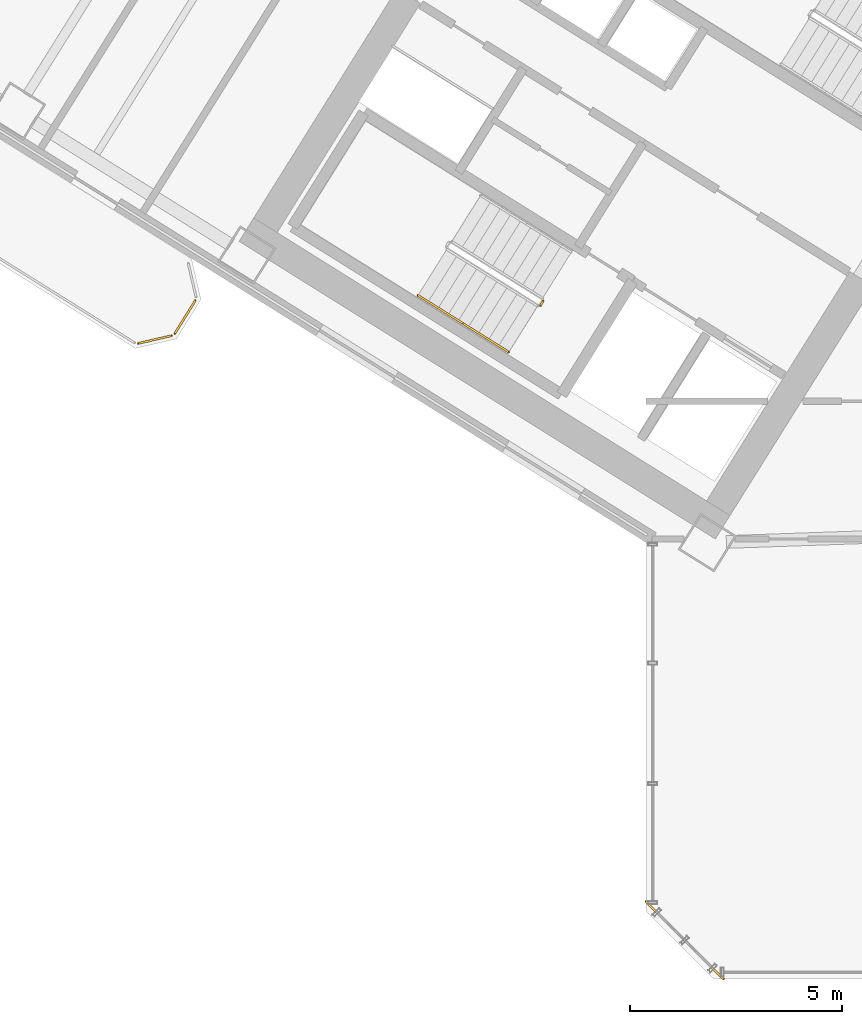
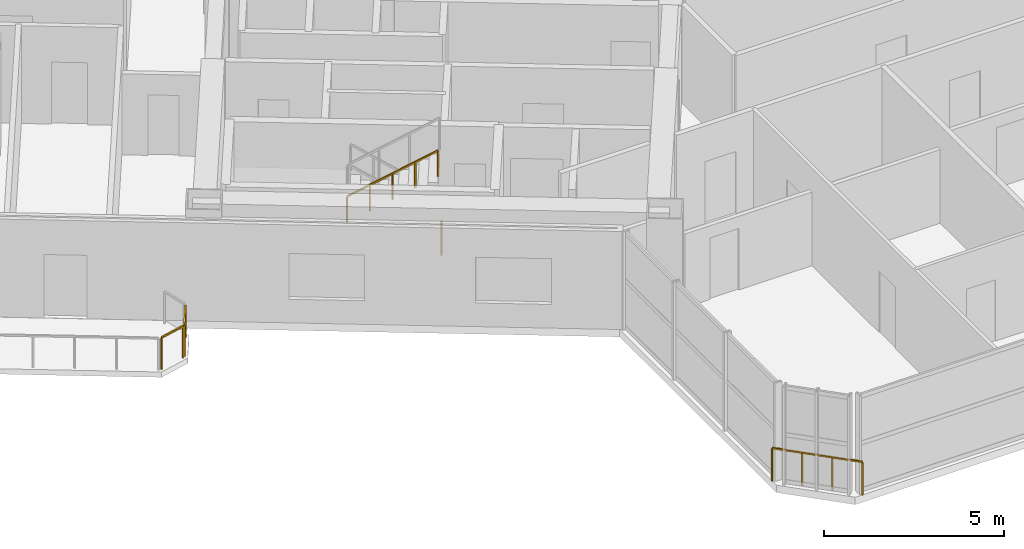
# One storey, part 17 of 21: 6 railings.
"""IFC4 building model written with IfcOpenShell, lengths in metres."""

from ifc_helpers import new_model, si_unit, direction, frame, origin, origin_2d, place, context, subcontext, project, spatial, rectangle, extrude, source, transform, mapped, material, type_object, element, save


model = new_model("IFC4")

# Units and contexts
model_context = context("Model", 3, precision=1e-05, world=origin(), true_north=direction((0.0, 1.0)))
body_context = subcontext(model_context, "Body", "Model", "MODEL_VIEW")
ifc_project = project(units=[si_unit("LENGTHUNIT", "METRE"), si_unit("AREAUNIT", "SQUARE_METRE"), si_unit("VOLUMEUNIT", "CUBIC_METRE"), si_unit("PLANEANGLEUNIT", "RADIAN"), si_unit("MASSUNIT", "GRAM", prefix="KILO")], contexts=[model_context])

# Site, building, storey
site_placement = place(None, origin())
site = spatial("IfcSite", under=ifc_project, at=site_placement, CompositionType="ELEMENT")
building_placement = place(site_placement, origin())
building = spatial("IfcBuilding", under=site, at=building_placement, Name="Tlacorven Tower", CompositionType="ELEMENT")
storey_placement = place(building_placement, frame((0.0, 0.0, 81.0)))
storey = spatial("IfcBuildingStorey", under=building, at=storey_placement, Name="L20", CompositionType="ELEMENT", Elevation=81.0)

# Railings
ifc_material = material(Name="Aluminium and painted steel balustrade", Category="steel")
railing_type_1 = type_object("IfcRailingType", Name="RL-BAL-1100", PredefinedType="BALUSTRADE", material=ifc_material)
shared_shape_1 = source(origin(), body_context, "Body", "SweptSolid", [
    extrude(rectangle(XDim=0.048095703125, YDim=0.048095703125, at=origin_2d()), frame((0.0, 0.0, 1.076171875), z_axis=(-0.52987865805, -0.848073468364, 0.0), x_axis=(0.848073468364, -0.52987865805, 0.0)), (0.0, 0.0, 1.0), 0.912353515625),
    extrude(rectangle(XDim=0.0419921875, YDim=0.0419921875, at=origin_2d()), origin(), (0.0, 0.0, 1.0), 1.052001953125),
    extrude(rectangle(XDim=0.0419921875, YDim=0.0419921875, at=origin_2d()), frame((-0.4833984375, -0.773681640625, 0.0)), (0.0, 0.0, 1.0), 1.052001953125),
])
railing_1_placement = place(storey_placement, frame((20.976318359375, 17.793701171875, 0.0)))
element("IfcRailing", 1, at=railing_1_placement, inside=storey, type_object=railing_type_1, Name="BAL-L20-W-OUT Guard Railing 2", PredefinedType="BALUSTRADE", context=body_context, shape_type="MappedRepresentation", body=[
    mapped(shared_shape_1, transform((0.0, 0.0, 0.0), scale=1.0)),
])
shared_shape_2 = source(origin(), body_context, "Body", "SweptSolid", [
    extrude(rectangle(XDim=0.048095703125, YDim=0.048095703125, at=origin_2d()), frame((0.0, 0.0, 1.076171875), z_axis=(-0.974345290916, -0.225058334816, 0.0), x_axis=(0.225058334816, -0.974345290916, 0.0)), (0.0, 0.0, 1.0), 0.80712890625),
    extrude(rectangle(XDim=0.0419921875, YDim=0.0419921875, at=origin_2d()), origin(), (0.0, 0.0, 1.0), 1.052001953125),
    extrude(rectangle(XDim=0.0419921875, YDim=0.0419921875, at=origin_2d()), frame((-0.786376953125, -0.181640625, 0.0)), (0.0, 0.0, 1.0), 1.052001953125),
])
railing_2_placement = place(storey_placement, frame((20.417724609375, 16.966552734375, 0.0)))
element("IfcRailing", 2, at=railing_2_placement, inside=storey, type_object=railing_type_1, Name="BAL-L20-W-OUT Guard Railing 3", PredefinedType="BALUSTRADE", context=body_context, shape_type="MappedRepresentation", body=[
    mapped(shared_shape_2, transform((0.0, 0.0, 0.0), scale=1.0)),
])
railing_type_2 = type_object("IfcRailingType", Name="RL-GRD-1150", PredefinedType="GUARDRAIL", material=ifc_material)
shared_shape_3 = source(origin(), body_context, "Body", "SweptSolid", [
    extrude(rectangle(XDim=0.048095703125, YDim=0.048095703125, at=origin_2d()), frame((0.0, 0.0, 1.1259765625), z_axis=(-0.707106781187, 0.707106781187, 0.0), x_axis=(-0.707106781187, -0.707106781187, 0.0)), (0.0, 0.0, 1.0), 2.590087890625),
    extrude(rectangle(XDim=0.0419921875, YDim=0.0419921875, at=origin_2d()), origin(), (0.0, 0.0, 1.0), 1.101806640625),
    extrude(rectangle(XDim=0.0419921875, YDim=0.0419921875, at=origin_2d()), frame((-0.610595703125, 0.610595703125, 0.0)), (0.0, 0.0, 1.0), 1.101806640625),
    extrude(rectangle(XDim=0.0419921875, YDim=0.0419921875, at=origin_2d()), frame((-1.220947265625, 1.220947265625, 0.0)), (0.0, 0.0, 1.0), 1.101806640625),
    extrude(rectangle(XDim=0.0419921875, YDim=0.0419921875, at=origin_2d()), frame((-1.83154296875, 1.83154296875, 0.0)), (0.0, 0.0, 1.0), 1.101806640625),
])
railing_3_placement = place(storey_placement, frame((33.428955078125, 1.79736328125, 0.0)))
element("IfcRailing", 3, at=railing_3_placement, inside=storey, type_object=railing_type_2, Name="L20 Knuckle Glazed Sill Guard 1", PredefinedType="GUARDRAIL", context=body_context, shape_type="MappedRepresentation", body=[
    mapped(shared_shape_3, transform((0.0, 0.0, 0.0), scale=1.0)),
])
railing_type_3 = type_object("IfcRailingType", Name="RL-GRD-1100", PredefinedType="GUARDRAIL", material=ifc_material)
shared_shape_4 = source(origin(), body_context, "Body", "SweptSolid", [
    extrude(rectangle(XDim=0.048095703125, YDim=0.048095703125, at=origin_2d()), frame((0.0, 0.0, 1.076171875), z_axis=(-0.529084052582, -0.848569422795, 0.0), x_axis=(0.848569422795, -0.529084052582, 0.0)), (0.0, 0.0, 1.0), 0.119873046875),
    extrude(rectangle(XDim=0.0419921875, YDim=0.0419921875, at=origin_2d()), origin(), (0.0, 0.0, 1.0), 1.052001953125),
    extrude(rectangle(XDim=0.0419921875, YDim=0.0419921875, at=origin_2d()), frame((-0.0634765625, -0.101806640625, 0.0)), (0.0, 0.0, 1.0), 1.052001953125),
])
railing_4_placement = place(storey_placement, frame((29.176513671875, 17.782958984375, 0.0)))
element("IfcRailing", 4, at=railing_4_placement, inside=storey, type_object=railing_type_3, Name="L20 ST-W1 stair guard 4", PredefinedType="GUARDRAIL", context=body_context, shape_type="MappedRepresentation", body=[
    mapped(shared_shape_4, transform((0.0, 0.0, 0.0), scale=1.0)),
])
railing_type_4 = type_object("IfcRailingType", Name="RL-HND-0900", PredefinedType="HANDRAIL", material=ifc_material)
shared_shape_5 = source(origin(), body_context, "Body", "SweptSolid", [
    extrude(rectangle(XDim=0.048095703125, YDim=0.048095703125, at=origin_2d()), frame((0.0, 0.0, 0.8759765625), z_axis=(0.713359751793, -0.4457479829, 0.540764828981), x_axis=(0.529911857636, 0.848052724267, 0.0)), (0.0, 0.0, 1.0), 1.498046875),
    extrude(rectangle(XDim=0.0419921875, YDim=0.0419921875, at=origin_2d()), origin(), (0.0, 0.0, 1.0), 0.851806640625),
    extrude(rectangle(XDim=0.0419921875, YDim=0.0419921875, at=origin_2d()), frame((0.5341796875, -0.333984375, 0.405029296875)), (0.0, 0.0, 1.0), 0.851806640625),
    extrude(rectangle(XDim=0.0419921875, YDim=0.0419921875, at=origin_2d()), frame((1.068603515625, -0.667724609375, 0.81005859375)), (0.0, 0.0, 1.0), 0.851806640625),
])
railing_5_placement = place(storey_placement, frame((26.228759765625, 17.915283203125, 1.97998046875)))
element("IfcRailing", 5, at=railing_5_placement, inside=storey, type_object=railing_type_4, Name="L20 ST-W1 stair handrail 3", PredefinedType="HANDRAIL", context=body_context, shape_type="MappedRepresentation", body=[
    mapped(shared_shape_5, transform((0.0, 0.0, 0.0), scale=1.0)),
])
shared_shape_6 = source(origin(), body_context, "Body", "SweptSolid", [
    extrude(rectangle(XDim=0.048095703125, YDim=0.048095703125, at=origin_2d()), frame((0.0, 0.0, 0.8759765625), z_axis=(0.713279695859, -0.445799809912, 0.540827703579), x_axis=(0.529998940003, 0.847998304005, 0.0)), (0.0, 0.0, 1.0), 1.497802734375),
    extrude(rectangle(XDim=0.0419921875, YDim=0.0419921875, at=origin_2d()), origin(), (0.0, 0.0, 1.0), 0.851806640625),
    extrude(rectangle(XDim=0.0419921875, YDim=0.0419921875, at=origin_2d()), frame((0.5341796875, -0.333984375, 0.405029296875)), (0.0, 0.0, 1.0), 0.851806640625),
    extrude(rectangle(XDim=0.0419921875, YDim=0.0419921875, at=origin_2d()), frame((1.068359375, -0.667724609375, 0.81005859375)), (0.0, 0.0, 1.0), 0.851806640625),
])
railing_6_placement = place(storey_placement, frame((27.29736328125, 17.24755859375, 2.7900390625)))
element("IfcRailing", 6, at=railing_6_placement, inside=storey, type_object=railing_type_4, Name="L20 ST-W1 stair handrail 4", PredefinedType="HANDRAIL", context=body_context, shape_type="MappedRepresentation", body=[
    mapped(shared_shape_6, transform((0.0, 0.0, 0.0), scale=1.0)),
])

save(model, "model.ifc")
